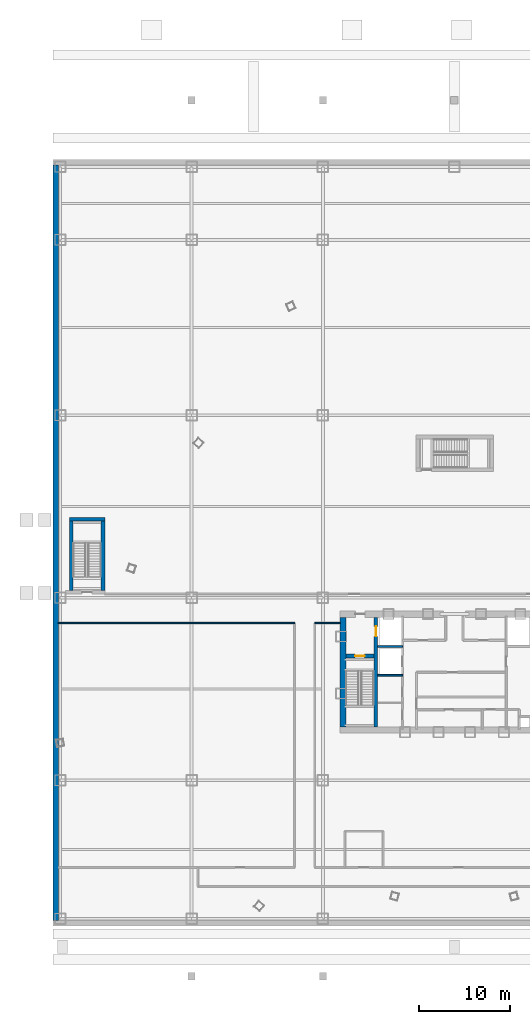
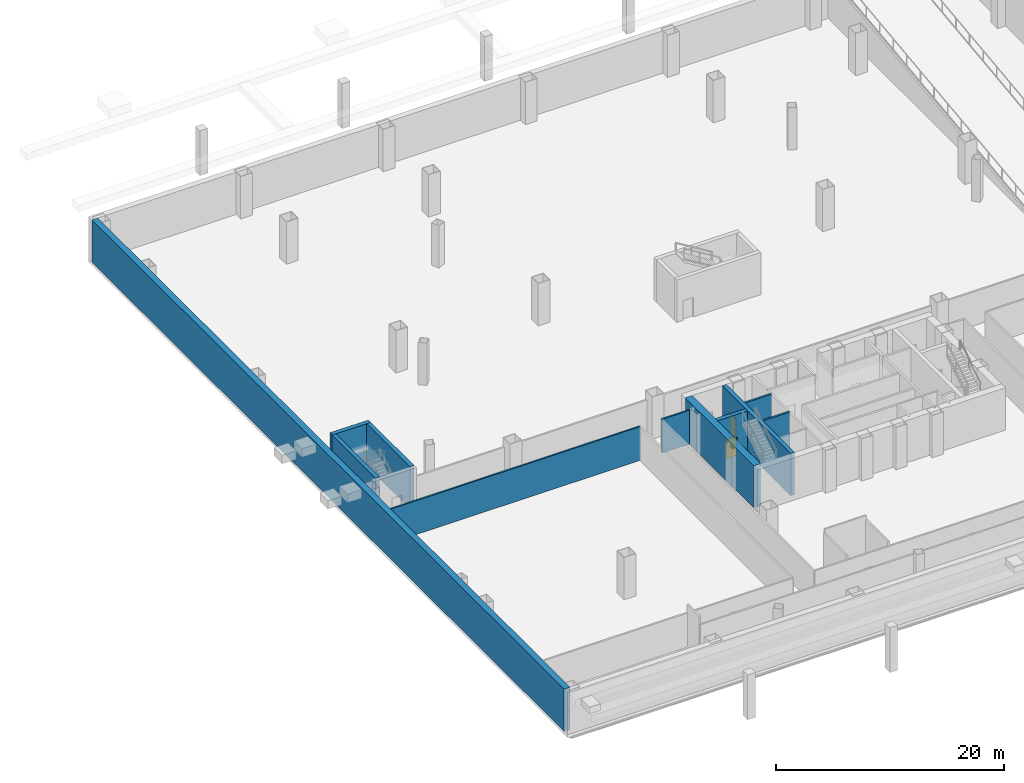
# One storey, part 9 of 16: 11 walls, 2 doors, 2 openings.
"""IFC4 building model written with IfcOpenShell, lengths in metres."""

import ifcopenshell
import ifcopenshell.guid

model = None  # the IFC model being written
_history = None  # IfcOwnerHistory: only IFC2X3 demands one
_inside = {}  # id of a spatial element -> (the spatial element, [elements in it])
_under = {}  # id of a project, library or spatial element -> (it, [spatial elements below it])
_declared = {}  # id of a project -> (the project, [libraries it declares])
_typed = {}  # id of a type object -> (the type object, [elements of that type])
_made_of = {}  # id of a material, layer set ... -> (it, [elements and type objects made of it])


def new_model(schema):
    """Start an empty IFC model of exactly this schema.

    Asked for "IFC4X3", IfcOpenShell would pick the latest addendum, in which some entities
    have other attributes; the version numbers below select the first issue.
    IFC2X3 requires an IfcOwnerHistory on every rooted entity: one is made here for all.
    """
    global model, _history
    if schema == "IFC4X3":
        model = ifcopenshell.file(schema_version=(4, 3, 0, 0))
    else:
        model = ifcopenshell.file(schema=schema)
    _inside.clear()
    _under.clear()
    _declared.clear()
    _typed.clear()
    _made_of.clear()
    _history = None
    if model.schema == "IFC2X3":
        org = make("IfcOrganization", Name="unknown")
        user = make(
            "IfcPersonAndOrganization",
            ThePerson=make("IfcPerson", FamilyName="unknown"),
            TheOrganization=org,
        )
        app = make(
            "IfcApplication",
            ApplicationDeveloper=org,
            Version="unknown",
            ApplicationFullName="unknown",
            ApplicationIdentifier="unknown",
        )
        _history = make(
            "IfcOwnerHistory",
            OwningUser=user,
            OwningApplication=app,
            ChangeAction="ADDED",
            CreationDate=0,
        )
    return model


def make(cls, **values):
    """One entity of the class cls with the attributes given. An attribute that is None is left unset."""
    return model.create_entity(
        cls, **{name: value for name, value in values.items() if value is not None}
    )


def rooted(cls, **values):
    """An entity with a GlobalId (a new one), such as an element, a storey or a relation."""
    return make(cls, GlobalId=ifcopenshell.guid.new(), OwnerHistory=_history, **values)


def si_unit(unit_type, name, prefix=None):
    """IfcSIUnit, for example si_unit("LENGTHUNIT", "METRE", prefix="MILLI")."""
    return make("IfcSIUnit", UnitType=unit_type, Prefix=prefix, Name=name)


def assignment(units):
    """IfcUnitAssignment: the units of a project."""
    return None if units is None else make("IfcUnitAssignment", Units=units)


def point(xyz):
    """IfcCartesianPoint."""
    return None if xyz is None else make("IfcCartesianPoint", Coordinates=xyz)


def direction(xyz):
    """IfcDirection."""
    return None if xyz is None else make("IfcDirection", DirectionRatios=xyz)


def frame(location, z_axis=None, x_axis=None):
    """IfcAxis2Placement3D, a coordinate frame: its origin and axes. An axis left out is left unset."""
    return make(
        "IfcAxis2Placement3D",
        Location=point(location),
        Axis=direction(z_axis),
        RefDirection=direction(x_axis),
    )


def frame_2d(location, x_axis=None):
    """IfcAxis2Placement2D, a coordinate frame in the plane: its origin and x axis."""
    return make(
        "IfcAxis2Placement2D", Location=point(location), RefDirection=direction(x_axis)
    )


def origin():
    """The frame at (0, 0, 0) with its axes left unset."""
    return frame((0.0, 0.0, 0.0))


def place(relative_to, where):
    """IfcLocalPlacement: puts the frame where relative to a parent placement (None: the world)."""
    return make(
        "IfcLocalPlacement", PlacementRelTo=relative_to, RelativePlacement=where
    )


def context(
    kind, dimensions, precision=None, world=None, true_north=None, identifier=None
):
    """IfcGeometricRepresentationContext, for example the 3D "Model" context."""
    return make(
        "IfcGeometricRepresentationContext",
        ContextIdentifier=identifier,
        ContextType=kind,
        CoordinateSpaceDimension=dimensions,
        Precision=precision,
        WorldCoordinateSystem=world,
        TrueNorth=true_north,
    )


def subcontext(parent, identifier, kind, view, scale=None):
    """IfcGeometricRepresentationSubContext, for example "Body" below "Model"."""
    return make(
        "IfcGeometricRepresentationSubContext",
        ContextIdentifier=identifier,
        ContextType=kind,
        ParentContext=parent,
        TargetScale=scale,
        TargetView=view,
    )


def project(units=None, contexts=None):
    """IfcProject with its units and contexts."""
    return rooted(
        "IfcProject",
        Name="project",
        RepresentationContexts=contexts,
        UnitsInContext=assignment(units),
    )


def spatial(cls, under=None, at=None, **own):
    """A site, building, storey or space (cls), placed at a placement, below another one or the project."""
    s = rooted(cls, ObjectPlacement=at, **own)
    if under is not None:
        _under.setdefault(under.id(), (under, []))[1].append(s)
    return s


def profile(cls, at=None, kind="AREA", **sizes):
    """A parametric profile (cls). Its sizes go by their IFC names, for example OverallWidth=200.0."""
    return make(cls, ProfileType=kind, Position=at, **sizes)


def rectangle(**sizes):
    """IfcRectangleProfileDef."""
    return profile("IfcRectangleProfileDef", **sizes)


def extrude(swept, where, along, depth):
    """IfcExtrudedAreaSolid: the profile swept, set in the frame where, extruded along a direction by depth."""
    return make(
        "IfcExtrudedAreaSolid",
        SweptArea=swept,
        Position=where,
        ExtrudedDirection=direction(along),
        Depth=depth,
    )


def shape(context_of_items, identifier, shape_type, items):
    """IfcShapeRepresentation: the items that make up one representation, for example the "Body"."""
    return make(
        "IfcShapeRepresentation",
        ContextOfItems=context_of_items,
        RepresentationIdentifier=identifier,
        RepresentationType=shape_type,
        Items=items,
    )


def source(mapping_origin, context_of_items, identifier, shape_type, items):
    """IfcRepresentationMap: a shape defined once, which mapped items show again and again."""
    return make(
        "IfcRepresentationMap",
        MappingOrigin=mapping_origin,
        MappedRepresentation=shape(context_of_items, identifier, shape_type, items),
    )


def transform(
    local_origin,
    x_axis=None,
    y_axis=None,
    z_axis=None,
    scale=None,
    scale2=None,
    scale3=None,
    uniform=True,
):
    """IfcCartesianTransformationOperator3D, or its non-uniform kind. x_axis, y_axis, z_axis: its Axis1, 2, 3."""
    if uniform:
        return make(
            "IfcCartesianTransformationOperator3D",
            Axis1=direction(x_axis),
            Axis2=direction(y_axis),
            LocalOrigin=point(local_origin),
            Scale=scale,
            Axis3=direction(z_axis),
        )
    return make(
        "IfcCartesianTransformationOperator3DnonUniform",
        Axis1=direction(x_axis),
        Axis2=direction(y_axis),
        LocalOrigin=point(local_origin),
        Scale=scale,
        Axis3=direction(z_axis),
        Scale2=scale2,
        Scale3=scale3,
    )


def mapped(mapping_source, mapping_target):
    """IfcMappedItem: shows the shape of a source again, moved by a transform."""
    return make(
        "IfcMappedItem", MappingSource=mapping_source, MappingTarget=mapping_target
    )


def material(Name=None, Category=None):
    """IfcMaterial."""
    return make("IfcMaterial", Name=Name, Category=Category)


def layer(
    of_material, thickness, ventilated=None, Name=None, Category=None, Priority=None
):
    """IfcMaterialLayer: one layer of a wall or slab, of a material (None: an air gap)."""
    return make(
        "IfcMaterialLayer",
        Material=of_material,
        LayerThickness=thickness,
        IsVentilated=ventilated,
        Name=Name,
        Category=Category,
        Priority=Priority,
    )


def layer_set(layers, Name=None):
    """IfcMaterialLayerSet."""
    return make("IfcMaterialLayerSet", MaterialLayers=layers, LayerSetName=Name)


def made_of(thing, what):
    """Note that an element or type object is made of a material, layer set ...; save() writes the relation."""
    if what is not None:
        _made_of.setdefault(what.id(), (what, []))[1].append(thing)
    return thing


def type_object(cls, material=None, **own):
    """A type object (cls), such as IfcWallType, which elements share."""
    return made_of(rooted(cls, **own), material)


def element(
    cls,
    number,
    at=None,
    inside=None,
    cuts=None,
    type_object=None,
    material=None,
    context=None,
    identifier="Body",
    shape_type=None,
    held_by="IfcProductDefinitionShape",
    body=None,
    shapes=None,
    **own,
):
    """One element of the class cls, such as IfcWall. Its Tag is "e" and its number.

    at: its placement. inside: the storey or other place that contains it. cuts: it is an
    opening in that element (IfcRelVoidsElement). A single representation is given by context,
    identifier, shape_type and body (its items); several are given by shapes. held_by: the class
    of the entity that holds the representations. save() writes the other relations.
    """
    e = rooted(cls, Tag="e%d" % number, ObjectPlacement=at, **own)
    if body is not None:
        shapes = [shape(context, identifier, shape_type, body)]
    if shapes is not None:
        e.Representation = make(held_by, Representations=shapes)
    if inside is not None:
        _inside.setdefault(inside.id(), (inside, []))[1].append(e)
    if cuts is not None:
        rooted(
            "IfcRelVoidsElement", RelatingBuildingElement=cuts, RelatedOpeningElement=e
        )
    if type_object is not None:
        _typed.setdefault(type_object.id(), (type_object, []))[1].append(e)
    return made_of(e, material)


def fill(opening, filler):
    """IfcRelFillsElement: the door or window that sits in an opening."""
    return rooted(
        "IfcRelFillsElement",
        RelatingOpeningElement=opening,
        RelatedBuildingElement=filler,
    )


def aggregate(whole, parts):
    """IfcRelAggregates: a whole, such as a stair, and the parts it consists of."""
    return rooted("IfcRelAggregates", RelatingObject=whole, RelatedObjects=parts)


def save(model, path):
    """Write the relations noted so far, then the file.

    IfcRelAggregates (storeys below a building ...), IfcRelContainedInSpatialStructure (elements
    in a storey), IfcRelDefinesByType, IfcRelAssociatesMaterial and IfcRelDeclares: one each for
    every whole, place, type object, material and project.
    """
    for whole, parts in _under.values():
        aggregate(whole, parts)
    for where, things in _inside.values():
        rooted(
            "IfcRelContainedInSpatialStructure",
            RelatedElements=things,
            RelatingStructure=where,
        )
    for kind, things in _typed.values():
        rooted("IfcRelDefinesByType", RelatedObjects=things, RelatingType=kind)
    for what, things in _made_of.values():
        rooted("IfcRelAssociatesMaterial", RelatedObjects=things, RelatingMaterial=what)
    for by, libraries in _declared.values():
        rooted("IfcRelDeclares", RelatingContext=by, RelatedDefinitions=libraries)
    model.write(path)


model = new_model("IFC4")

# Units and contexts
model_context = context("Model", 3, precision=1e-05, world=origin(), true_north=direction((0.0, 1.0)))
body_context = subcontext(model_context, "Body", "Model", "MODEL_VIEW")
ifc_project = project(units=[si_unit("LENGTHUNIT", "METRE"), si_unit("AREAUNIT", "SQUARE_METRE"), si_unit("VOLUMEUNIT", "CUBIC_METRE"), si_unit("PLANEANGLEUNIT", "RADIAN"), si_unit("MASSUNIT", "GRAM", prefix="KILO"), si_unit("THERMODYNAMICTEMPERATUREUNIT", "KELVIN"), si_unit("POWERUNIT", "WATT")], contexts=[model_context])

# Site, building, storey
site_placement = place(None, origin())
site = spatial("IfcSite", under=ifc_project, at=site_placement, CompositionType="ELEMENT")
building_placement = place(site_placement, origin())
building = spatial("IfcBuilding", under=site, at=building_placement, Name="Yunzhuo Pagoda Commons", CompositionType="ELEMENT")
storey_placement = place(building_placement, frame((0.0, 0.0, -4.800048828125)))
storey = spatial("IfcBuildingStorey", under=building, at=storey_placement, Name="B01", CompositionType="ELEMENT", Elevation=-4.800048828125)

# Walls
ifc_material_1 = material(Name="Concrete C50", Category="concrete")
ifc_layer_1 = layer(ifc_material_1, 0.60009765625)
ifc_layer_set_1 = layer_set([ifc_layer_1], Name="Concrete C50")
wall_type_1 = type_object("IfcWallType", Name="W-B01 Basement Perimeter Retaining Wall 600", PredefinedType="SHEAR", material=ifc_layer_set_1)
wall_1_placement = place(storey_placement, frame((4.300048828125, 6.60009765625, 0.0), z_axis=(0.0, 0.0, 1.0), x_axis=(0.0, 1.0, 0.0)))
element("IfcWall", 1, at=wall_1_placement, inside=storey, type_object=wall_type_1, Name="B01 W basement retaining wall", PredefinedType="SHEAR", context=body_context, shape_type="SweptSolid", body=[
    extrude(rectangle(XDim=82.7998046875, YDim=0.60009765625, at=frame_2d((41.39990234375, 0.0))), origin(), (0.0, 0.0, 1.0), 4.52001953125),
])
ifc_material_2 = material(Name="Concrete C60", Category="concrete")
ifc_layer_2 = layer(ifc_material_2, 0.699951171875)
ifc_layer_set_2 = layer_set([ifc_layer_2], Name="Concrete C60")
wall_type_2 = type_object("IfcWallType", Name="W-C01 Lower Core Shear Wall 700", PredefinedType="SHEAR", material=ifc_layer_set_2)
wall_2_placement = place(storey_placement, frame((35.800048828125, 27.85009765625, 0.0), z_axis=(0.0, 0.0, 1.0), x_axis=(0.0, 1.0, 0.0)))
element("IfcWall", 2, at=wall_2_placement, inside=storey, type_object=wall_type_2, Name="B01 core shear wall W", PredefinedType="SHEAR", context=body_context, shape_type="SweptSolid", body=[
    extrude(rectangle(XDim=12.0, YDim=0.699951171875, at=frame_2d((6.0, 0.0))), origin(), (0.0, 0.0, 1.0), 4.52001953125),
])
ifc_material_3 = material(Name="Gypsum plasterboard on acoustic stud")
ifc_layer_3 = layer(ifc_material_3, 0.159912109375)
ifc_layer_set_3 = layer_set([ifc_layer_3], Name="Gypsum plasterboard on acoustic stud")
wall_type_3 = type_object("IfcWallType", Name="W-COR1 Tower Rated Corridor Wall 160", PredefinedType="PARTITIONING", material=ifc_layer_set_3)
wall_3_placement = place(storey_placement, frame((4.60009765625, 39.219970703125, 0.0), z_axis=(0.0, 0.0, 1.0), x_axis=(1.0, 0.0, 0.0)))
element("IfcWall", 3, at=wall_3_placement, inside=storey, type_object=wall_type_3, Name="B01 interior wall IW-B01-BIKEN", PredefinedType="PARTITIONING", context=body_context, shape_type="SweptSolid", body=[
    extrude(rectangle(XDim=25.89990234375, YDim=0.159912109375, at=frame_2d((12.949951171875, 0.0))), origin(), (0.0, 0.0, 1.0), 3.6201171875),
])
wall_4_placement = place(storey_placement, frame((32.699951171875, 39.219970703125, 0.0), z_axis=(0.0, 0.0, 1.0), x_axis=(1.0, 0.0, 0.0)))
element("IfcWall", 4, at=wall_4_placement, inside=storey, type_object=wall_type_3, Name="B01 interior wall IW-B01-SMNW", PredefinedType="PARTITIONING", context=body_context, shape_type="SweptSolid", body=[
    extrude(rectangle(XDim=2.800048828125, YDim=0.159912109375, at=frame_2d((1.39990234375, 0.0))), origin(), (0.0, 0.0, 1.0), 3.6201171875),
])

# Wall, opening, door
ifc_layer_4 = layer(ifc_material_2, 0.39990234375)
ifc_layer_set_4 = layer_set([ifc_layer_4], Name="Concrete C60")
wall_type_4 = type_object("IfcWallType", Name="W-S01 Internal Core Shear Web 400", PredefinedType="SHEAR", material=ifc_layer_set_4)
wall_5_placement = place(storey_placement, frame((39.39990234375, 27.85009765625, 0.0), z_axis=(0.0, 0.0, 1.0), x_axis=(0.0, 1.0, 0.0)))
wall_5 = element("IfcWall", 5, at=wall_5_placement, inside=storey, type_object=wall_type_4, Name="B01 core shear wall WEBW", PredefinedType="SHEAR", context=body_context, shape_type="SweptSolid", body=[
    extrude(rectangle(XDim=12.0, YDim=0.39990234375, at=frame_2d((6.0, 0.0))), origin(), (0.0, 0.0, 1.0), 4.52001953125),
])
opening_1_placement = place(wall_5_placement, frame((9.89990234375, 0.0, 0.0)))
opening_1 = element("IfcOpeningElement", 6, at=opening_1_placement, cuts=wall_5, Name="Opening LD-01", PredefinedType="OPENING", context=body_context, shape_type="SweptSolid", body=[
    extrude(rectangle(XDim=1.10009765625, YDim=2.10009765625, at=frame_2d((0.550048828125, 1.050048828125))), frame((0.0, 0.2099609375, 0.0), z_axis=(0.0, -1.0, 0.0), x_axis=(1.0, 0.0, 0.0)), (0.0, 0.0, 1.0), 0.419921875),
])
ifc_material_4 = material(Name="Galvanized fire-resisting metal leaf")
door_type_1 = type_object("IfcDoorType", Name="LD-01 Firefighting Lift Landing Door 1100x2100", OperationType="DOUBLE_DOOR_SLIDING", PredefinedType="DOOR", material=ifc_material_4)
shared_shape_1 = source(origin(), body_context, "Body", "SweptSolid", [
    extrude(rectangle(XDim=1.10009765625, YDim=2.10009765625, at=frame_2d((0.550048828125, 1.050048828125))), frame((0.0, 0.02490234375, 0.0), z_axis=(0.0, -1.0, 0.0), x_axis=(1.0, 0.0, 0.0)), (0.0, 0.0, 1.0), 0.050048828125),
])
door_1_placement = place(opening_1_placement, frame((1.10009765625, 0.0, 0.0), z_axis=(0.0, 0.0, 1.0), x_axis=(-1.0, 0.0, 0.0)))
door_1 = element("IfcDoor", 7, at=door_1_placement, inside=storey, type_object=door_type_1, Name="B01 Firefighting lift FL-1 landing door", OperationType="DOUBLE_DOOR_SLIDING", OverallHeight=2.10009765625, OverallWidth=1.10009765625, PredefinedType="DOOR", context=body_context, shape_type="MappedRepresentation", body=[
    mapped(shared_shape_1, transform((0.0, 0.0, 0.0), scale=1.0)),
])
fill(opening_1, door_1)

wall_6_placement = place(storey_placement, frame((36.14990234375, 35.60009765625, 0.0), z_axis=(0.0, 0.0, 1.0), x_axis=(1.0, 0.0, 0.0)))
wall_6 = element("IfcWall", 8, at=wall_6_placement, inside=storey, type_object=wall_type_4, Name="B01 core shear wall STW", PredefinedType="SHEAR", context=body_context, shape_type="SweptSolid", body=[
    extrude(rectangle(XDim=3.050048828125, YDim=0.39990234375, at=frame_2d((1.52490234375, 0.0))), origin(), (0.0, 0.0, 1.0), 4.52001953125),
])
opening_2_placement = place(wall_6_placement, frame((0.969970703125, 0.0, 0.0)))
opening_2 = element("IfcOpeningElement", 9, at=opening_2_placement, cuts=wall_6, Name="Opening D-01", PredefinedType="OPENING", context=body_context, shape_type="SweptSolid", body=[
    extrude(rectangle(XDim=1.050048828125, YDim=2.10009765625, at=frame_2d((0.52490234375, 1.050048828125))), frame((0.0, 0.2099609375, 0.0), z_axis=(0.0, -1.0, 0.0), x_axis=(1.0, 0.0, 0.0)), (0.0, 0.0, 1.0), 0.419921875),
])
door_type_2 = type_object("IfcDoorType", Name="D-01 Smokeproof Stair Fire Door 1050x2100", OperationType="NOTDEFINED", PredefinedType="DOOR", material=ifc_material_4)
shared_shape_2 = source(origin(), body_context, "Body", "SweptSolid", [
    extrude(rectangle(XDim=1.050048828125, YDim=2.10009765625, at=frame_2d((0.52490234375, 1.050048828125))), frame((0.0, 0.02490234375, 0.0), z_axis=(0.0, -1.0, 0.0), x_axis=(1.0, 0.0, 0.0)), (0.0, 0.0, 1.0), 0.050048828125),
])
door_2_placement = place(opening_2_placement, frame((1.050048828125, 0.0, 0.0), z_axis=(0.0, 0.0, 1.0), x_axis=(-1.0, 0.0, 0.0)))
door_2 = element("IfcDoor", 10, at=door_2_placement, inside=storey, type_object=door_type_2, Name="B01 Stair ST1 fire door", OperationType="SINGLE_SWING_LEFT", OverallHeight=2.10009765625, OverallWidth=1.050048828125, PredefinedType="DOOR", context=body_context, shape_type="MappedRepresentation", body=[
    mapped(shared_shape_2, transform((0.0, 0.0, 0.0), scale=1.0)),
])
fill(opening_2, door_2)

# Walls
wall_7_placement = place(storey_placement, frame((5.800048828125, 50.60009765625, 0.0), z_axis=(0.0, 0.0, 1.0), x_axis=(1.0, 0.0, 0.0)))
element("IfcWall", 11, at=wall_7_placement, inside=storey, type_object=wall_type_4, Name="B01 PS3 structural stair wall N", PredefinedType="SHEAR", context=body_context, shape_type="SweptSolid", body=[
    extrude(rectangle(XDim=3.89990234375, YDim=0.39990234375, at=frame_2d((1.949951171875, 0.0))), origin(), (0.0, 0.0, 1.0), 4.52001953125),
])
for number, where, z_axis, x_axis, name in (
    (12, (6.0, 42.800048828125, 0.0), (0.0, 0.0, 1.0), (0.0, 1.0, 0.0), "B01 PS3 structural stair wall W"),
    (13, (9.5, 42.800048828125, 0.0), (0.0, 0.0, 1.0), (0.0, 1.0, 0.0), "B01 PS3 structural stair wall E"),
):
    element("IfcWall", number, at=place(storey_placement, frame(where, z_axis=z_axis, x_axis=x_axis)), inside=storey, type_object=wall_type_4, Name=name, PredefinedType="SHEAR", context=body_context, shape_type="SweptSolid", body=[
        extrude(rectangle(XDim=7.599853515625, YDim=0.39990234375, at=frame_2d((3.7998046875, 0.0))), origin(), (0.0, 0.0, 1.0), 4.52001953125),
    ])
ifc_material_5 = material(Name="Concrete C40", Category="concrete")
ifc_layer_5 = layer(ifc_material_5, 0.199951171875)
ifc_layer_set_5 = layer_set([ifc_layer_5], Name="Concrete C40")
wall_type_5 = type_object("IfcWallType", Name="W-SHF Shaft & Stair Enclosure Wall 200", PredefinedType="SOLIDWALL", material=ifc_layer_set_5)
for number, where, z_axis, x_axis, name in (
    (14, (39.60009765625, 36.64990234375, 0.0), (0.0, 0.0, 1.0), (1.0, 0.0, 0.0), "B01 interior wall IW-B01-FL1S"),
    (15, (39.60009765625, 33.5, 0.0), (0.0, 0.0, 1.0), (1.0, 0.0, 0.0), "B01 interior wall IW-B01-SL1S"),
):
    element("IfcWall", number, at=place(storey_placement, frame(where, z_axis=z_axis, x_axis=x_axis)), inside=storey, type_object=wall_type_5, Name=name, PredefinedType="SOLIDWALL", context=body_context, shape_type="SweptSolid", body=[
        extrude(rectangle(XDim=2.719970703125, YDim=0.199951171875, at=frame_2d((1.35986328125, 0.0))), origin(), (0.0, 0.0, 1.0), 4.52001953125),
    ])

save(model, "model.ifc")
